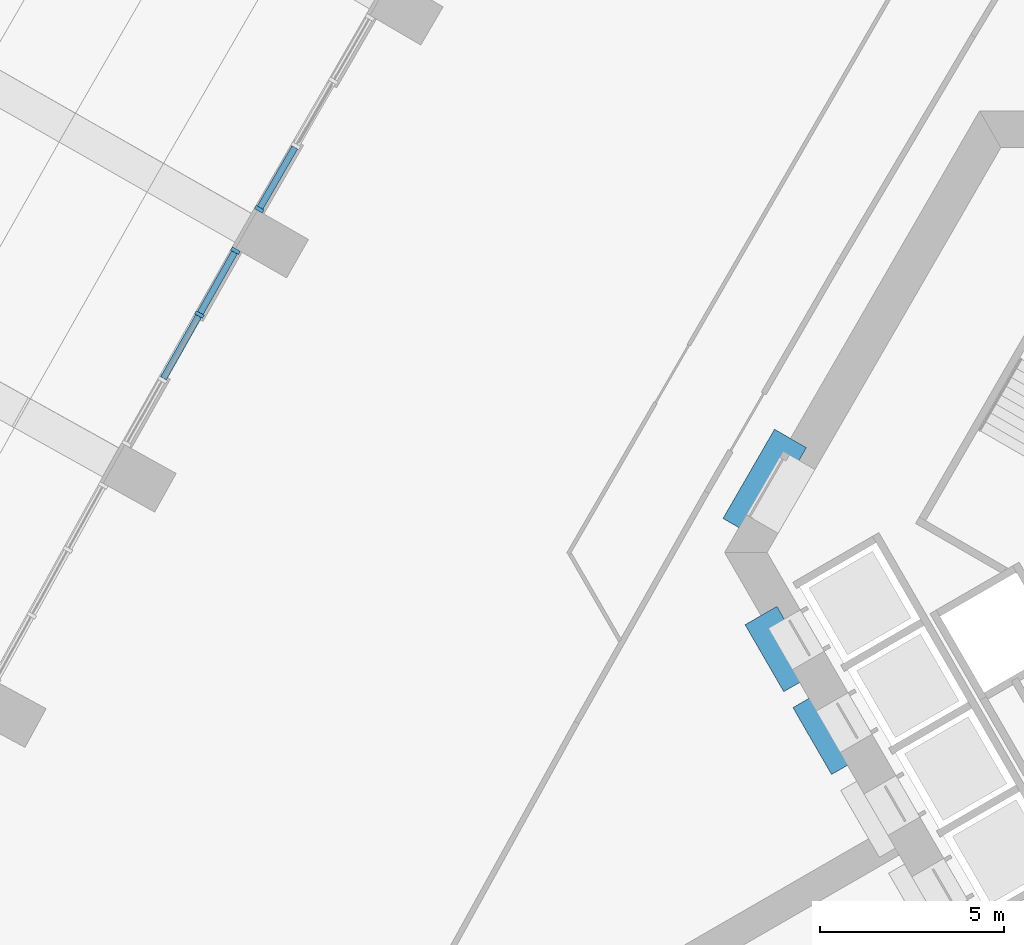
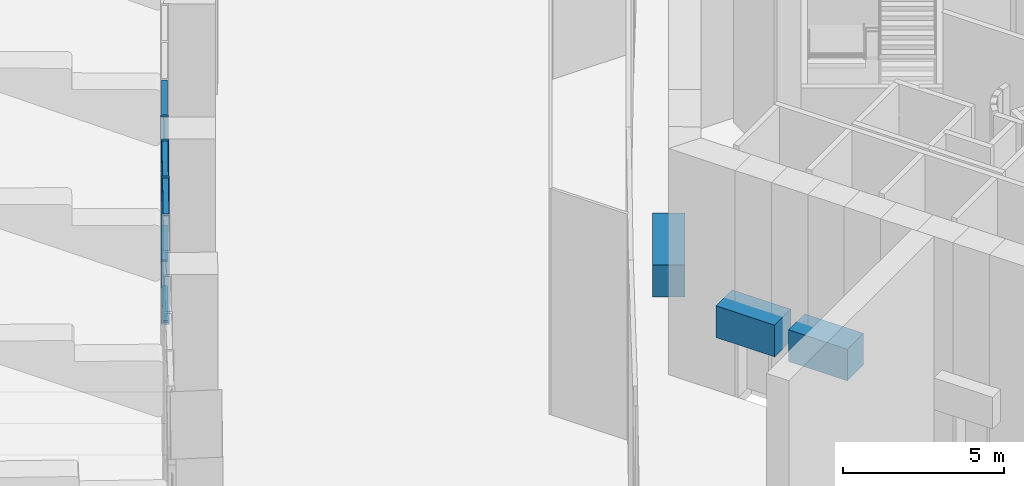
# One storey, part 4 of 36: 8 members, 3 beams, 2 elements without a shape of their own.
"""IFC4 building model written with IfcOpenShell, lengths in metres."""

from ifc_helpers import new_model, si_unit, direction, frame, origin, origin_2d, place, context, subcontext, project, spatial, rectangle, extrude, material, material_profile, profile_set, type_object, element, aggregate, save


model = new_model("IFC4")

# Units and contexts
model_context = context("Model", 3, precision=1e-05, world=origin(), true_north=direction((0.0, 1.0)))
body_context = subcontext(model_context, "Body", "Model", "MODEL_VIEW")
ifc_project = project(units=[si_unit("LENGTHUNIT", "METRE"), si_unit("AREAUNIT", "SQUARE_METRE"), si_unit("VOLUMEUNIT", "CUBIC_METRE"), si_unit("PLANEANGLEUNIT", "RADIAN"), si_unit("MASSUNIT", "GRAM", prefix="KILO")], contexts=[model_context])

# Site, building, storey
site_placement = place(None, origin())
site = spatial("IfcSite", under=ifc_project, at=site_placement, CompositionType="ELEMENT")
building_placement = place(site_placement, origin())
building = spatial("IfcBuilding", under=site, at=building_placement, Name="Entoto Arch Interchange Tower", CompositionType="ELEMENT")
storey_placement = place(building_placement, origin())
storey = spatial("IfcBuildingStorey", under=building, at=storey_placement, Name="L00", CompositionType="ELEMENT", Elevation=0.0)

# Beams
ifc_material_1 = material(Name="Concrete C60/75", Category="concrete")
ifc_material_profile_1 = material_profile(ifc_material_1, rectangle(XDim=1.0, YDim=1.199951171875, at=origin_2d()))
ifc_profile_set_1 = profile_set([ifc_material_profile_1], Name="Concrete C60/75")
beam_type = type_object("IfcBeamType", Name="Coupling beam RC 1000x1200 C60/75", PredefinedType="BEAM", material=ifc_profile_set_1)
beam_1_placement = place(storey_placement, frame((-12.06689453125, 5.597900390625, 3.0), z_axis=(-0.500200581029, -0.865909567298, 0.0), x_axis=(0.865909567298, -0.500200581029, 0.0)))
element("IfcBeam", 1, at=beam_1_placement, inside=storey, type_object=beam_type, Name="Coupling beam NW L00", PredefinedType="BEAM", context=body_context, shape_type="SweptSolid", body=[
    extrude(rectangle(XDim=1.0, YDim=1.199951171875, at=origin_2d()), origin(), (0.0, 0.0, 1.0), 2.799072265625),
])
beam_2_placement = place(storey_placement, frame((-12.866943359375, 0.785888671875, 3.0), z_axis=(0.500178781653, -0.865922159541, 0.0), x_axis=(0.865922159541, 0.500178781653, 0.0)))
element("IfcBeam", 2, at=beam_2_placement, inside=storey, type_object=beam_type, Name="Coupling beam SW L00", PredefinedType="BEAM", context=body_context, shape_type="SweptSolid", body=[
    extrude(rectangle(XDim=1.0, YDim=1.199951171875, at=origin_2d()), origin(), (0.0, 0.0, 1.0), 2.099365234375),
])
beam_3_placement = place(storey_placement, frame((-11.56689453125, -1.465087890625, 3.0), z_axis=(0.500091574638, -0.865972526687, 0.0), x_axis=(0.865972526687, 0.500091574638, 0.0)))
element("IfcBeam", 3, at=beam_3_placement, inside=storey, type_object=beam_type, Name="Coupling beam SW L00", PredefinedType="BEAM", context=body_context, shape_type="SweptSolid", body=[
    extrude(rectangle(XDim=1.0, YDim=1.199951171875, at=origin_2d()), origin(), (0.0, 0.0, 1.0), 2.09912109375),
])

# Curtain wall, member
ifc_material_2 = material(Name="Aluminium, anodised", Category="aluminium")
curtain_wall_type = type_object("IfcCurtainWallType", Name="CURTAIN WALL GATE HALL", PredefinedType="NOTDEFINED", material=ifc_material_2)
curtain_wall_1_placement = place(storey_placement, origin())
curtain_wall_1 = element("IfcCurtainWall", 4, at=curtain_wall_1_placement, inside=storey, type_object=curtain_wall_type, Name="Gate Hall glazing NW-05 L00", PredefinedType="NOTDEFINED")
ifc_material_profile_2 = material_profile(ifc_material_2, rectangle(XDim=0.25, YDim=0.10009765625, at=origin_2d()))
ifc_profile_set_2 = profile_set([ifc_material_profile_2], Name="Aluminium, anodised")
member_type_1 = type_object("IfcMemberType", Name="MULLION GATE HALL 100x250", PredefinedType="MULLION", material=ifc_profile_set_2)
member_1_placement = place(storey_placement, frame((-26.5029296875, 11.828369140625, 3.0), z_axis=(0.0, 0.0, 1.0), x_axis=(0.865929596866, -0.500165905747, 0.0)))
member_1 = element("IfcMember", 5, at=member_1_placement, type_object=member_type_1, Name="CWG mullion 4", PredefinedType="MULLION", context=body_context, shape_type="SweptSolid", body=[
    extrude(rectangle(XDim=0.25, YDim=0.10009765625, at=origin_2d()), origin(), (0.0, 0.0, 1.0), 5.550048828125),
])

# Curtain wall, members
curtain_wall_2_placement = place(storey_placement, origin())
curtain_wall_2 = element("IfcCurtainWall", 6, at=curtain_wall_2_placement, inside=storey, type_object=curtain_wall_type, Name="Gate Hall glazing NW-06 L00", PredefinedType="NOTDEFINED")
member_2_placement = place(storey_placement, frame((-27.148681640625, 10.697509765625, 3.0), z_axis=(0.0, 0.0, 1.0), x_axis=(0.870806252444, -0.491626352735, 0.0)))
member_2 = element("IfcMember", 7, at=member_2_placement, type_object=member_type_1, Name="CWG mullion 1", PredefinedType="MULLION", context=body_context, shape_type="SweptSolid", body=[
    extrude(rectangle(XDim=0.25, YDim=0.10009765625, at=origin_2d()), origin(), (0.0, 0.0, 1.0), 5.550048828125),
])
member_3_placement = place(storey_placement, frame((-28.126708984375, 8.965087890625, 3.0), z_axis=(0.0, 0.0, 1.0), x_axis=(0.870806252444, -0.491626352735, 0.0)))
member_3 = element("IfcMember", 8, at=member_3_placement, type_object=member_type_1, Name="CWG mullion 2", PredefinedType="MULLION", context=body_context, shape_type="SweptSolid", body=[
    extrude(rectangle(XDim=0.25, YDim=0.10009765625, at=origin_2d()), origin(), (0.0, 0.0, 1.0), 5.550048828125),
])

# Member
ifc_material_profile_3 = material_profile(ifc_material_2, rectangle(XDim=0.179931640625, YDim=0.080078125, at=origin_2d()))
ifc_profile_set_3 = profile_set([ifc_material_profile_3], Name="Aluminium, anodised")
member_type_2 = type_object("IfcMemberType", Name="TRANSOM GATE HALL 80x180", PredefinedType="USERDEFINED", material=ifc_profile_set_3)
member_4_placement = place(storey_placement, frame((-25.533447265625, 13.507080078125, 3.0400390625), z_axis=(-0.50012898999, -0.865950918569, 0.0), x_axis=(0.865950918569, -0.50012898999, 0.0)))
member_4 = element("IfcMember", 9, at=member_4_placement, type_object=member_type_2, Name="CWG transom 3.1", ObjectType="TRANSOM", PredefinedType="USERDEFINED", context=body_context, shape_type="SweptSolid", body=[
    extrude(rectangle(XDim=0.179931640625, YDim=0.080078125, at=origin_2d()), origin(), (0.0, 0.0, 1.0), 1.888671875),
])

member_5_placement = place(storey_placement, frame((-25.533447265625, 13.507080078125, 8.510009765625), z_axis=(-0.50012898999, -0.865950918569, 0.0), x_axis=(0.865950918569, -0.50012898999, 0.0)))
member_5 = element("IfcMember", 10, at=member_5_placement, type_object=member_type_2, Name="CWG transom 3.2", ObjectType="TRANSOM", PredefinedType="USERDEFINED", context=body_context, shape_type="SweptSolid", body=[
    extrude(rectangle(XDim=0.179931640625, YDim=0.080078125, at=origin_2d()), origin(), (0.0, 0.0, 1.0), 1.888671875),
])

aggregate(curtain_wall_1, [member_1, member_4, member_5])

member_6_placement = place(storey_placement, frame((-27.173095703125, 10.65380859375, 3.0400390625), z_axis=(-0.491665487255, -0.870784157322, 0.0), x_axis=(0.870784157322, -0.491665487255, 0.0)))
member_6 = element("IfcMember", 11, at=member_6_placement, type_object=member_type_2, Name="CWG transom 1.1", ObjectType="TRANSOM", PredefinedType="USERDEFINED", context=body_context, shape_type="SweptSolid", body=[
    extrude(rectangle(XDim=0.179931640625, YDim=0.080078125, at=origin_2d()), origin(), (0.0, 0.0, 1.0), 1.889404296875),
])

member_7_placement = place(storey_placement, frame((-27.173095703125, 10.65380859375, 8.510009765625), z_axis=(-0.491665487255, -0.870784157322, 0.0), x_axis=(0.870784157322, -0.491665487255, 0.0)))
member_7 = element("IfcMember", 12, at=member_7_placement, type_object=member_type_2, Name="CWG transom 1.2", ObjectType="TRANSOM", PredefinedType="USERDEFINED", context=body_context, shape_type="SweptSolid", body=[
    extrude(rectangle(XDim=0.179931640625, YDim=0.080078125, at=origin_2d()), origin(), (0.0, 0.0, 1.0), 1.889404296875),
])

member_8_placement = place(storey_placement, frame((-28.1513671875, 8.92138671875, 8.510009765625), z_axis=(-0.491563574302, -0.870841691939, 0.0), x_axis=(0.870841691939, -0.491563574302, 0.0)))
member_8 = element("IfcMember", 13, at=member_8_placement, type_object=member_type_2, Name="CWG transom 2.2", ObjectType="TRANSOM", PredefinedType="USERDEFINED", context=body_context, shape_type="SweptSolid", body=[
    extrude(rectangle(XDim=0.179931640625, YDim=0.080078125, at=origin_2d()), origin(), (0.0, 0.0, 1.0), 1.939453125),
])

aggregate(curtain_wall_2, [member_2, member_3, member_6, member_7, member_8])

save(model, "model.ifc")
